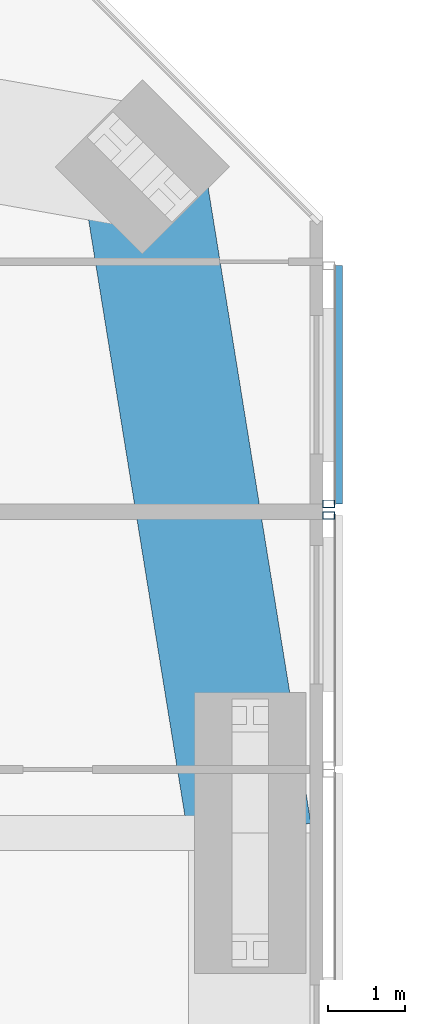
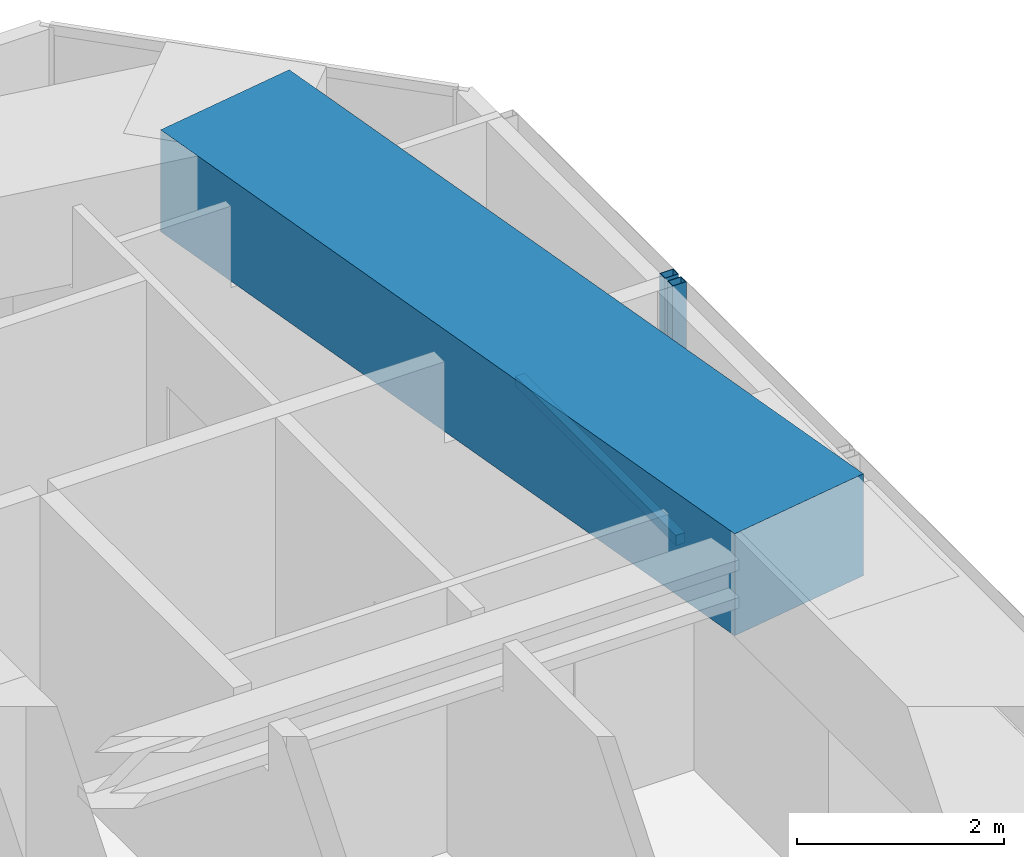
# One storey, part 9 of 23: 3 members, 1 beam, 2 elements without a shape of their own.
"""IFC4 building model written with IfcOpenShell, lengths in metres."""

from ifc_helpers import new_model, si_unit, direction, frame, origin, origin_2d, place, context, subcontext, project, spatial, rectangle, hollow_rectangle, extrude, material, material_profile, profile_set, type_object, element, aggregate, save


model = new_model("IFC4")

# Units and contexts
model_context = context("Model", 3, precision=1e-05, world=origin(), true_north=direction((0.0, 1.0)))
body_context = subcontext(model_context, "Body", "Model", "MODEL_VIEW")
ifc_project = project(units=[si_unit("LENGTHUNIT", "METRE"), si_unit("AREAUNIT", "SQUARE_METRE"), si_unit("VOLUMEUNIT", "CUBIC_METRE"), si_unit("PLANEANGLEUNIT", "RADIAN"), si_unit("MASSUNIT", "GRAM", prefix="KILO")], contexts=[model_context])

# Site, building, storey
site_placement = place(None, origin())
site = spatial("IfcSite", under=ifc_project, at=site_placement, CompositionType="ELEMENT")
building_placement = place(site_placement, origin())
building = spatial("IfcBuilding", under=site, at=building_placement, Name="Jalousie Tower", CompositionType="ELEMENT")
storey_placement = place(building_placement, frame((0.0, 0.0, 197.89990234375)))
storey = spatial("IfcBuildingStorey", under=building, at=storey_placement, Name="L54", CompositionType="ELEMENT", Elevation=197.89990234375)

# Beam
ifc_material_1 = material(Name="Concrete f'c 40 MPa", Category="concrete")
ifc_material_profile_1 = material_profile(ifc_material_1, rectangle(XDim=1.60009765625, YDim=1.199951171875, at=origin_2d()), Name="RC 1600x1200")
ifc_profile_set_1 = profile_set([ifc_material_profile_1], Name="Concrete f'c 40 MPa")
beam_type = type_object("IfcBeamType", Name="RC BEAM 1600x1200", PredefinedType="BEAM", material=ifc_profile_set_1)
beam_placement = place(storey_placement, frame((52.050048828125, 25.0, 2.75), z_axis=(-0.159567878256, 0.987186959106, 0.0), x_axis=(-0.987186959106, -0.159567878256, 0.0)))
element("IfcBeam", 1, at=beam_placement, inside=storey, type_object=beam_type, Name="Edge band beam 07-08 under L55", PredefinedType="BEAM", context=body_context, shape_type="SweptSolid", body=[
    extrude(rectangle(XDim=1.60009765625, YDim=1.199951171875, at=origin_2d()), origin(), (0.0, 0.0, 1.0), 8.763916015625),
])

# Curtain wall, member
ifc_material_2 = material(Name="Perforated aluminium sheet", Category="aluminium")
curtain_wall_type = type_object("IfcCurtainWallType", Name="SOLAR SCREEN SS-1", PredefinedType="USERDEFINED", material=ifc_material_2)
curtain_wall_1_placement = place(storey_placement, origin())
curtain_wall_1 = element("IfcCurtainWall", 2, at=curtain_wall_1_placement, inside=storey, type_object=curtain_wall_type, Name="Solar screen L54", ObjectType="SOLAR SCREEN SS-1", PredefinedType="USERDEFINED")
ifc_material_3 = material(Name="Steel ASTM A500 Grade C", Category="steel")
ifc_material_profile_2 = material_profile(ifc_material_3, hollow_rectangle(XDim=0.1015625, YDim=0.15234375, WallThickness=0.00634765625, at=origin_2d()), Name="HSS6X4X1/4")
ifc_profile_set_2 = profile_set([ifc_material_profile_2], Name="Steel ASTM A500 Grade C")
member_type_1 = type_object("IfcMemberType", Name="SOLAR SCREEN SS-1 MULLION", PredefinedType="MULLION", material=ifc_profile_set_2)
member_1_placement = place(storey_placement, frame((53.0712890625, 29.125, -0.119873046875), z_axis=(0.0, 0.0, 1.0), x_axis=(0.0, 1.0, 0.0)))
member_1 = element("IfcMember", 3, at=member_1_placement, type_object=member_type_1, Name="SS1 post 2", PredefinedType="MULLION", context=body_context, shape_type="SweptSolid", body=[
    extrude(hollow_rectangle(XDim=0.1015625, YDim=0.15234375, WallThickness=0.00634765625, at=origin_2d()), origin(), (0.0, 0.0, 1.0), 3.22998046875),
])
aggregate(curtain_wall_1, [member_1])

# Curtain wall, members
curtain_wall_2_placement = place(storey_placement, origin())
curtain_wall_2 = element("IfcCurtainWall", 4, at=curtain_wall_2_placement, inside=storey, type_object=curtain_wall_type, Name="Solar screen L54", ObjectType="SOLAR SCREEN SS-1", PredefinedType="USERDEFINED")
member_2_placement = place(storey_placement, frame((53.0712890625, 29.27490234375, -0.119873046875), z_axis=(0.0, 0.0, 1.0), x_axis=(0.0, 1.0, 0.0)))
member_2 = element("IfcMember", 5, at=member_2_placement, type_object=member_type_1, Name="SS1 post 1", PredefinedType="MULLION", context=body_context, shape_type="SweptSolid", body=[
    extrude(hollow_rectangle(XDim=0.1015625, YDim=0.15234375, WallThickness=0.00634765625, at=origin_2d()), origin(), (0.0, 0.0, 1.0), 3.22998046875),
])
ifc_material_4 = material(Name="Extruded aluminium screen rail", Category="aluminium")
ifc_material_profile_3 = material_profile(ifc_material_4, rectangle(XDim=0.1015625, YDim=0.1201171875, at=origin_2d()), Name="RAIL 102x120")
ifc_profile_set_3 = profile_set([ifc_material_profile_3], Name="Extruded aluminium screen rail")
member_type_2 = type_object("IfcMemberType", Name="SOLAR SCREEN SS-1 TRANSOM", PredefinedType="USERDEFINED", material=ifc_profile_set_3)
member_3_placement = place(storey_placement, frame((53.1982421875, 29.27490234375, -0.059814453125), z_axis=(0.0, 1.0, 0.0), x_axis=(-1.0, 0.0, 0.0)))
member_3 = element("IfcMember", 6, at=member_3_placement, type_object=member_type_2, Name="SS1 rail", ObjectType="TRANSOM", PredefinedType="USERDEFINED", context=body_context, shape_type="SweptSolid", body=[
    extrude(rectangle(XDim=0.1015625, YDim=0.1201171875, at=origin_2d()), origin(), (0.0, 0.0, 1.0), 3.09521484375),
])
aggregate(curtain_wall_2, [member_2, member_3])

save(model, "model.ifc")
